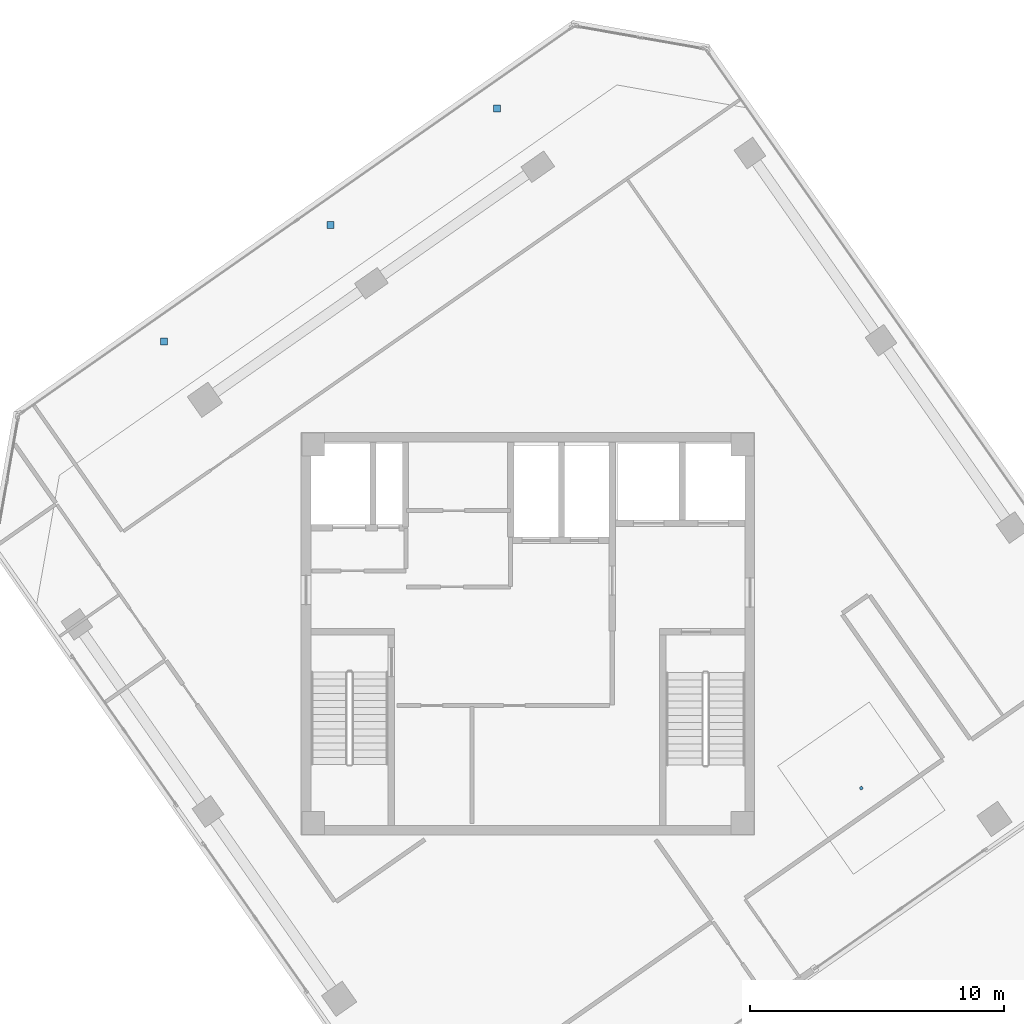
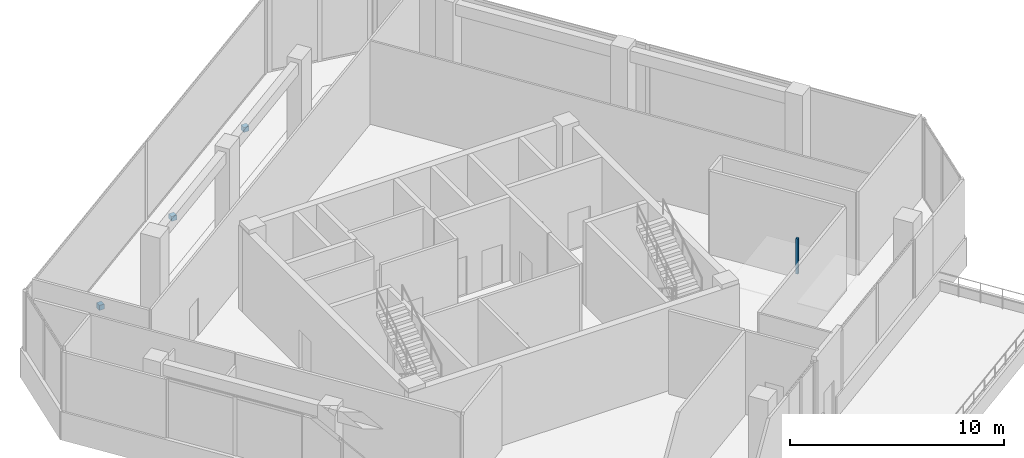
# One storey, part 13 of 16: 4 discrete accessories.
"""IFC4 building model written with IfcOpenShell, lengths in metres."""

from ifc_helpers import new_model, si_unit, direction, frame, origin, origin_2d, place, context, subcontext, project, spatial, rectangle, extrude, source, transform, mapped, material, type_object, element, save


model = new_model("IFC4")

# Units and contexts
model_context = context("Model", 3, precision=1e-05, world=origin(), true_north=direction((0.0, 1.0)))
body_context = subcontext(model_context, "Body", "Model", "MODEL_VIEW")
ifc_project = project(units=[si_unit("LENGTHUNIT", "METRE"), si_unit("AREAUNIT", "SQUARE_METRE"), si_unit("VOLUMEUNIT", "CUBIC_METRE"), si_unit("PLANEANGLEUNIT", "RADIAN"), si_unit("MASSUNIT", "GRAM", prefix="KILO")], contexts=[model_context])

# Site, building, storey
site_placement = place(None, origin())
site = spatial("IfcSite", under=ifc_project, at=site_placement, CompositionType="ELEMENT")
building_placement = place(site_placement, origin())
building = spatial("IfcBuilding", under=site, at=building_placement, Name="Torre Montelarca", CompositionType="ELEMENT")
storey_placement = place(building_placement, frame((0.0, 0.0, 293.800048828125)))
storey = spatial("IfcBuildingStorey", under=building, at=storey_placement, Name="L66", CompositionType="ELEMENT", Elevation=293.800048828125)

# Discrete accessories
ifc_material_1 = material(Name="Stainless steel AISI 316", Category="steel")
discrete_accessory_type_1 = type_object("IfcDiscreteAccessoryType", Name="ACC-BRACKET-SS", PredefinedType="BRACKET", material=ifc_material_1)
shared_shape_1 = source(origin(), body_context, "Body", "SweptSolid", [
    extrude(rectangle(XDim=0.280029296875, YDim=0.280029296875, at=origin_2d()), origin(), (0.0, 0.0, 1.0), 0.280029296875),
])
for number, where, z_axis, x_axis, name in (
    (1, (3.676025390625, 43.5078125, -0.2802734375), (0.0, 0.0, 1.0), (1.0, 0.0, 0.0), "L66 Raker End Connection Bracket W1-HD"),
    (2, (10.229248046875, 48.09619140625, -0.2802734375), (0.0, 0.0, 1.0), (1.0, 0.0, 0.0), "L66 Raker End Connection Bracket W2-HD"),
    (3, (16.782470703125, 52.684814453125, -0.2802734375), (0.0, 0.0, 1.0), (1.0, 0.0, 0.0), "L66 Raker End Connection Bracket W3-HD"),
):
    element("IfcDiscreteAccessory", number, at=place(storey_placement, frame(where, z_axis=z_axis, x_axis=x_axis)), inside=storey, type_object=discrete_accessory_type_1, Name=name, PredefinedType="BRACKET", context=body_context, shape_type="MappedRepresentation", body=[
        mapped(shared_shape_1, transform((0.0, 0.0, 0.0), scale=1.0)),
    ])
ifc_material_2 = material(Name="Galvanized steel suspension hanger", Category="steel")
discrete_accessory_type_2 = type_object("IfcDiscreteAccessoryType", Name="ACC-CEIL-HNG", PredefinedType="BRACKET", material=ifc_material_2)
shared_shape_2 = source(origin(), body_context, "Body", "SweptSolid", [
    extrude(rectangle(XDim=0.1201171875, YDim=0.1201171875, at=origin_2d()), origin(), (0.0, 0.0, 1.0), 2.02001953125),
])
discrete_accessory_placement = place(storey_placement, frame((31.126708984375, 25.922607421875, 2.760009765625), z_axis=(0.0, 0.0, 1.0), x_axis=(-0.573576436351, 0.819152044289, 0.0)))
element("IfcDiscreteAccessory", 4, at=discrete_accessory_placement, inside=storey, type_object=discrete_accessory_type_2, Name="L66 Suspended Ceiling Hanger Bracket 01", PredefinedType="BRACKET", context=body_context, shape_type="MappedRepresentation", body=[
    mapped(shared_shape_2, transform((0.0, 0.0, 0.0), scale=1.0)),
])

save(model, "model.ifc")
